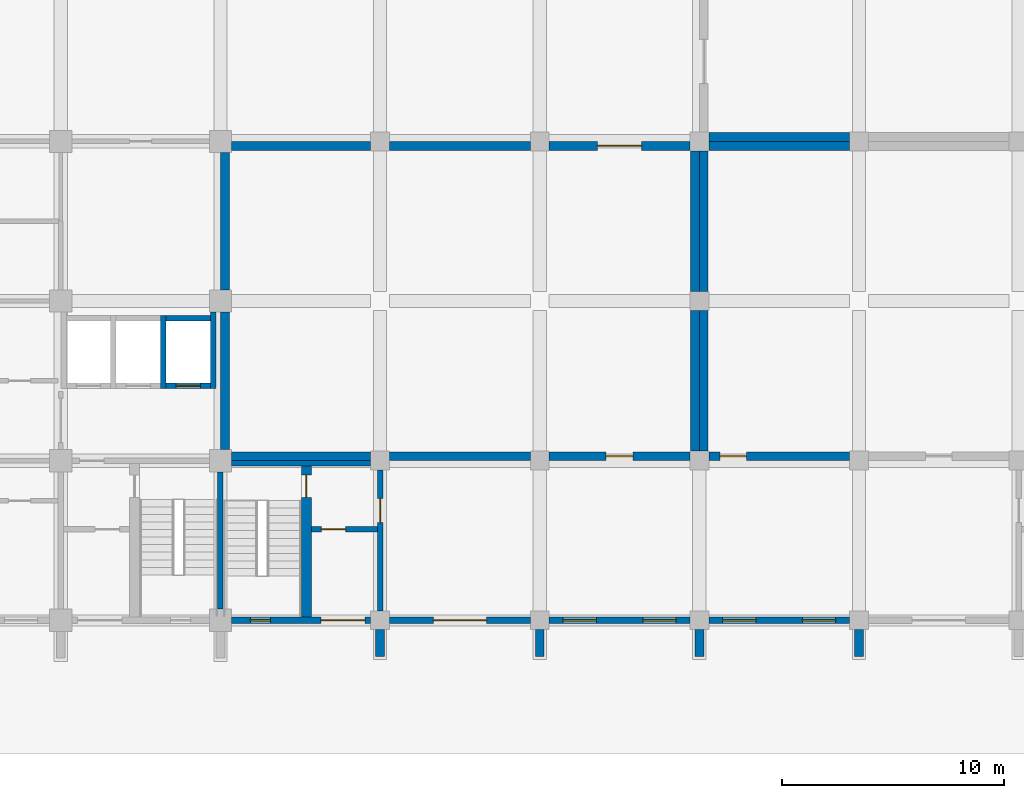
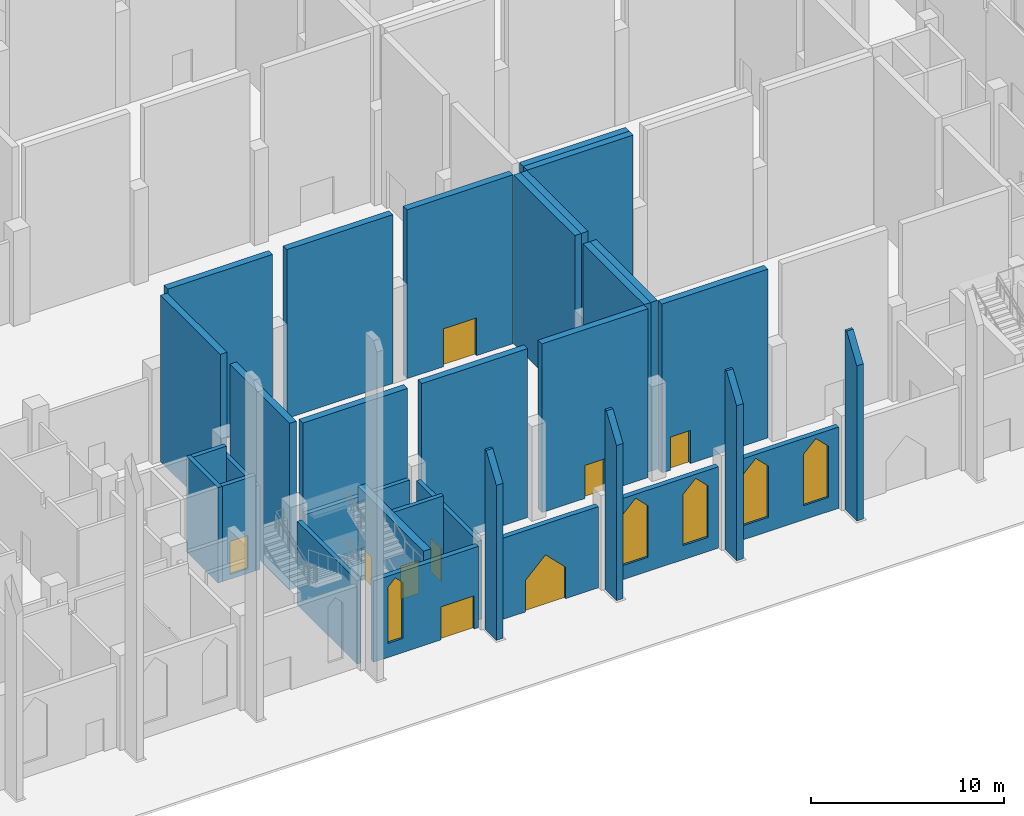
# One storey, part 31 of 50: 32 walls, 9 doors, 5 windows, 14 openings.
"""IFC4 building model written with IfcOpenShell, lengths in metres."""

from ifc_helpers import new_model, si_unit, direction, frame, frame_2d, origin, place, context, subcontext, project, spatial, polyline, rectangle, outline, extrude, material, layer, layer_set, type_object, element, fill, save


model = new_model("IFC4")

# Units and contexts
model_context = context("Model", 3, precision=1e-05, world=origin(), true_north=direction((0.0, 1.0)))
body_context = subcontext(model_context, "Body", "Model", "MODEL_VIEW")
ifc_project = project(units=[si_unit("LENGTHUNIT", "METRE"), si_unit("AREAUNIT", "SQUARE_METRE"), si_unit("VOLUMEUNIT", "CUBIC_METRE"), si_unit("PLANEANGLEUNIT", "RADIAN"), si_unit("MASSUNIT", "GRAM", prefix="KILO")], contexts=[model_context])

# Site, building, storey
site_placement = place(None, origin())
site = spatial("IfcSite", under=ifc_project, at=site_placement, CompositionType="ELEMENT")
building_placement = place(site_placement, origin())
building = spatial("IfcBuilding", under=site, at=building_placement, Name="Silangan Lancet Faculty of Sciences", CompositionType="ELEMENT")
storey_placement = place(building_placement, origin())
storey = spatial("IfcBuildingStorey", under=building, at=storey_placement, Name="L00", CompositionType="ELEMENT", Elevation=0.0)

# Wall, openings, window, door
ifc_material_1 = material(Name="Concrete C40/50 precast", Category="concrete")
ifc_layer_1 = layer(ifc_material_1, 0.300048828125)
ifc_layer_set_1 = layer_set([ifc_layer_1], Name="Concrete C40/50 precast")
wall_type_1 = type_object("IfcWallType", Name="EW2 Turret enclosure wall", PredefinedType="STANDARD", material=ifc_layer_set_1)
wall_1_placement = place(storey_placement, frame((29.300048828125, 0.0, 0.0), z_axis=(0.0, 0.0, 1.0), x_axis=(1.0, 0.0, 0.0)))
wall_1 = element("IfcWall", 1, at=wall_1_placement, inside=storey, type_object=wall_type_1, Name="EW-L00-S-SAB-00", PredefinedType="STANDARD", context=body_context, shape_type="SweptSolid", body=[
    extrude(rectangle(XDim=6.27490234375, YDim=0.300048828125, at=frame_2d((3.137451171875, 0.0))), origin(), (0.0, 0.0, 1.0), 5.14990234375),
])
opening_1_placement = place(wall_1_placement, frame((4.02490234375, 0.0, 0.0)))
opening_1 = element("IfcOpeningElement", 2, at=opening_1_placement, cuts=wall_1, Name="Opening L00-907", PredefinedType="OPENING", context=body_context, shape_type="SweptSolid", body=[
    extrude(rectangle(XDim=2.0, YDim=2.10009765625, at=frame_2d((1.0, 1.050048828125))), frame((0.0, 0.159912109375, 0.0), z_axis=(0.0, -1.0, 0.0), x_axis=(1.0, 0.0, 0.0)), (0.0, 0.0, 1.0), 0.320068359375),
])
opening_2_placement = place(wall_1_placement, frame((0.85009765625, 0.0, 0.89990234375)))
opening_2 = element("IfcOpeningElement", 3, at=opening_2_placement, cuts=wall_1, Name="Opening W2", PredefinedType="OPENING", context=body_context, shape_type="SweptSolid", body=[
    extrude(outline(polyline([(0.0, 0.0), (0.89990234375, 0.0), (0.89990234375, 3.550048828125), (0.449951171875, 4.0), (0.0, 3.550048828125), (0.0, 0.0)])), frame((0.0, 0.159912109375, 0.0), z_axis=(0.0, -1.0, 0.0), x_axis=(1.0, 0.0, 0.0)), (0.0, 0.0, 1.0), 0.320068359375),
])
ifc_material_2 = material(Name="Aluminium frame, laminated double glazing", Category="aluminium")
window_type_1 = type_object("IfcWindowType", Name="W2 Lancet window 900 x 4000", PartitioningType="SINGLE_PANEL", PredefinedType="WINDOW", material=ifc_material_2)
window_1_placement = place(opening_2_placement, origin())
window_1 = element("IfcWindow", 4, at=window_1_placement, inside=storey, type_object=window_type_1, Name="WIN-L00-S-SAB-00a", OverallHeight=4.0, OverallWidth=0.89990234375, PartitioningType="SINGLE_PANEL", PredefinedType="WINDOW", context=body_context, shape_type="SweptSolid", body=[
    extrude(outline(polyline([(0.0, 0.0), (0.89990234375, 0.0), (0.89990234375, 3.550048828125), (0.449951171875, 4.0), (0.0, 3.550048828125), (0.0, 0.0)])), frame((0.0, 0.030029296875, 0.0), z_axis=(0.0, -1.0, 0.0), x_axis=(1.0, 0.0, 0.0)), (0.0, 0.0, 1.0), 0.06005859375),
])
fill(opening_2, window_1)
ifc_material_3 = material(Name="Steel hollow-metal, fire rated", Category="steel")
door_type_1 = type_object("IfcDoorType", Name="XD2 Exit passage door pair 2000 x 2100", OperationType="DOUBLE_DOOR_SINGLE_SWING", PredefinedType="DOOR", material=ifc_material_3)
door_1_placement = place(opening_1_placement, frame((2.0, 0.0, 0.0), z_axis=(0.0, 0.0, 1.0), x_axis=(-1.0, 0.0, 0.0)))
door_1 = element("IfcDoor", 5, at=door_1_placement, inside=storey, type_object=door_type_1, Name="DOOR-L00-907", OperationType="DOUBLE_DOOR_SINGLE_SWING", OverallHeight=2.10009765625, OverallWidth=2.0, PredefinedType="DOOR", context=body_context, shape_type="SweptSolid", body=[
    extrude(rectangle(XDim=2.0, YDim=2.10009765625, at=frame_2d((1.0, 1.050048828125))), frame((0.0, 0.025146484375, 0.0), z_axis=(0.0, -1.0, 0.0), x_axis=(1.0, 0.0, 0.0)), (0.0, 0.0, 1.0), 0.050048828125),
])
fill(opening_1, door_1)

# Wall, opening, door
ifc_material_4 = material(Name="Concrete C40/50", Category="concrete")
ifc_layer_2 = layer(ifc_material_4, 0.300048828125)
ifc_layer_set_2 = layer_set([ifc_layer_2], Name="Concrete C40/50")
wall_type_2 = type_object("IfcWallType", Name="EW6 Stone-faced base wall", PredefinedType="STANDARD", material=ifc_layer_set_2)
wall_2_placement = place(storey_placement, frame((36.425048828125, 0.0, 0.0), z_axis=(0.0, 0.0, 1.0), x_axis=(1.0, 0.0, 0.0)))
wall_2 = element("IfcWall", 6, at=wall_2_placement, inside=storey, type_object=wall_type_2, Name="EW-L00-S-SAB-01", PredefinedType="STANDARD", context=body_context, shape_type="SweptSolid", body=[
    extrude(rectangle(XDim=6.349853515625, YDim=0.300048828125, at=frame_2d((3.1748046875, 0.0))), origin(), (0.0, 0.0, 1.0), 5.14990234375),
])
opening_3_placement = place(wall_2_placement, frame((1.97509765625, 0.0, 0.0)))
opening_3 = element("IfcOpeningElement", 7, at=opening_3_placement, cuts=wall_2, Name="Opening L00-912", PredefinedType="OPENING", context=body_context, shape_type="SweptSolid", body=[
    extrude(outline(polyline([(0.0, 0.0), (2.39990234375, 0.0), (2.39990234375, 2.0), (1.199951171875, 3.199951171875), (0.0, 2.0), (0.0, 0.0)])), frame((0.0, 0.159912109375, 0.0), z_axis=(0.0, -1.0, 0.0), x_axis=(1.0, 0.0, 0.0)), (0.0, 0.0, 1.0), 0.320068359375),
])
ifc_material_5 = material(Name="Aluminium frame, laminated glazing", Category="aluminium")
door_type_2 = type_object("IfcDoorType", Name="XD5 Entrance door pair 2400 x 3200", OperationType="DOUBLE_DOOR_SINGLE_SWING", PredefinedType="DOOR", material=ifc_material_5)
door_2_placement = place(opening_3_placement, frame((2.39990234375, 0.0, 0.0), z_axis=(0.0, 0.0, 1.0), x_axis=(-1.0, 0.0, 0.0)))
door_2 = element("IfcDoor", 8, at=door_2_placement, inside=storey, type_object=door_type_2, Name="DOOR-L00-912", OperationType="DOUBLE_DOOR_SINGLE_SWING", OverallHeight=3.199951171875, OverallWidth=2.39990234375, PredefinedType="DOOR", context=body_context, shape_type="SweptSolid", body=[
    extrude(outline(polyline([(2.39990234375, 2.0), (1.199951171875, 3.199951171875), (0.0, 2.0), (0.0, 0.0), (2.39990234375, 0.0), (2.39990234375, 2.0)])), frame((0.0, 0.025146484375, 0.0), z_axis=(0.0, -1.0, 0.0), x_axis=(1.0, 0.0, 0.0)), (0.0, 0.0, 1.0), 0.050048828125),
])
fill(opening_3, door_2)

# Wall, openings, windows
wall_3_placement = place(storey_placement, frame((43.625, 0.0, 0.0), z_axis=(0.0, 0.0, 1.0), x_axis=(1.0, 0.0, 0.0)))
wall_3 = element("IfcWall", 9, at=wall_3_placement, inside=storey, type_object=wall_type_2, Name="EW-L00-S-SAB-02", PredefinedType="STANDARD", context=body_context, shape_type="SweptSolid", body=[
    extrude(rectangle(XDim=6.35009765625, YDim=0.300048828125, at=frame_2d((3.175048828125, 0.0))), origin(), (0.0, 0.0, 1.0), 5.14990234375),
])
opening_4_placement = place(wall_3_placement, frame((0.625, 0.0, 0.89990234375)))
opening_4 = element("IfcOpeningElement", 10, at=opening_4_placement, cuts=wall_3, Name="Opening W3", PredefinedType="OPENING", context=body_context, shape_type="SweptSolid", body=[
    extrude(outline(polyline([(0.0, 0.0), (1.5, 0.0), (1.5, 3.25), (0.75, 4.0), (0.0, 3.25), (0.0, 0.0)])), frame((0.0, 0.159912109375, 0.0), z_axis=(0.0, -1.0, 0.0), x_axis=(1.0, 0.0, 0.0)), (0.0, 0.0, 1.0), 0.320068359375),
])
opening_5_placement = place(wall_3_placement, frame((4.22509765625, 0.0, 0.89990234375)))
opening_5 = element("IfcOpeningElement", 11, at=opening_5_placement, cuts=wall_3, Name="Opening W3", PredefinedType="OPENING", context=body_context, shape_type="SweptSolid", body=[
    extrude(outline(polyline([(0.0, 0.0), (1.5, 0.0), (1.5, 3.25), (0.75, 4.0), (0.0, 3.25), (0.0, 0.0)])), frame((0.0, 0.159912109375, 0.0), z_axis=(0.0, -1.0, 0.0), x_axis=(1.0, 0.0, 0.0)), (0.0, 0.0, 1.0), 0.320068359375),
])
ifc_material_6 = material(Name="Aluminium frame, laminated double glazing", Category="aluminium")
window_type_2 = type_object("IfcWindowType", Name="W3 Lancet window 1500 x 4000", PartitioningType="SINGLE_PANEL", PredefinedType="WINDOW", material=ifc_material_6)
window_2_placement = place(opening_4_placement, origin())
window_2 = element("IfcWindow", 12, at=window_2_placement, inside=storey, type_object=window_type_2, Name="WIN-L00-S-SAB-02a", OverallHeight=4.0, OverallWidth=1.5, PartitioningType="SINGLE_PANEL", PredefinedType="WINDOW", context=body_context, shape_type="SweptSolid", body=[
    extrude(outline(polyline([(0.0, 0.0), (1.5, 0.0), (1.5, 3.25), (0.75, 4.0), (0.0, 3.25), (0.0, 0.0)])), frame((0.0, 0.030029296875, 0.0), z_axis=(0.0, -1.0, 0.0), x_axis=(1.0, 0.0, 0.0)), (0.0, 0.0, 1.0), 0.06005859375),
])
fill(opening_4, window_2)
window_3_placement = place(opening_5_placement, origin())
window_3 = element("IfcWindow", 13, at=window_3_placement, inside=storey, type_object=window_type_2, Name="WIN-L00-S-SAB-02b", OverallHeight=4.0, OverallWidth=1.5, PartitioningType="SINGLE_PANEL", PredefinedType="WINDOW", context=body_context, shape_type="SweptSolid", body=[
    extrude(outline(polyline([(0.0, 0.0), (1.5, 0.0), (1.5, 3.25), (0.75, 4.0), (0.0, 3.25), (0.0, 0.0)])), frame((0.0, 0.030029296875, 0.0), z_axis=(0.0, -1.0, 0.0), x_axis=(1.0, 0.0, 0.0)), (0.0, 0.0, 1.0), 0.06005859375),
])
fill(opening_5, window_3)

wall_4_placement = place(storey_placement, frame((50.824951171875, 0.0, 0.0), z_axis=(0.0, 0.0, 1.0), x_axis=(1.0, 0.0, 0.0)))
wall_4 = element("IfcWall", 14, at=wall_4_placement, inside=storey, type_object=wall_type_2, Name="EW-L00-S-SAB-03", PredefinedType="STANDARD", context=body_context, shape_type="SweptSolid", body=[
    extrude(rectangle(XDim=6.35009765625, YDim=0.300048828125, at=frame_2d((3.175048828125, 0.0))), origin(), (0.0, 0.0, 1.0), 5.14990234375),
])
opening_6_placement = place(wall_4_placement, frame((0.625, 0.0, 0.89990234375)))
opening_6 = element("IfcOpeningElement", 15, at=opening_6_placement, cuts=wall_4, Name="Opening W3", PredefinedType="OPENING", context=body_context, shape_type="SweptSolid", body=[
    extrude(outline(polyline([(0.0, 0.0), (1.5, 0.0), (1.5, 3.25), (0.75, 4.0), (0.0, 3.25), (0.0, 0.0)])), frame((0.0, 0.159912109375, 0.0), z_axis=(0.0, -1.0, 0.0), x_axis=(1.0, 0.0, 0.0)), (0.0, 0.0, 1.0), 0.320068359375),
])
opening_7_placement = place(wall_4_placement, frame((4.22509765625, 0.0, 0.89990234375)))
opening_7 = element("IfcOpeningElement", 16, at=opening_7_placement, cuts=wall_4, Name="Opening W3", PredefinedType="OPENING", context=body_context, shape_type="SweptSolid", body=[
    extrude(outline(polyline([(0.0, 0.0), (1.5, 0.0), (1.5, 3.25), (0.75, 4.0), (0.0, 3.25), (0.0, 0.0)])), frame((0.0, 0.159912109375, 0.0), z_axis=(0.0, -1.0, 0.0), x_axis=(1.0, 0.0, 0.0)), (0.0, 0.0, 1.0), 0.320068359375),
])
window_4_placement = place(opening_6_placement, origin())
window_4 = element("IfcWindow", 17, at=window_4_placement, inside=storey, type_object=window_type_2, Name="WIN-L00-S-SAB-03a", OverallHeight=4.0, OverallWidth=1.5, PartitioningType="SINGLE_PANEL", PredefinedType="WINDOW", context=body_context, shape_type="SweptSolid", body=[
    extrude(outline(polyline([(0.0, 0.0), (1.5, 0.0), (1.5, 3.25), (0.75, 4.0), (0.0, 3.25), (0.0, 0.0)])), frame((0.0, 0.030029296875, 0.0), z_axis=(0.0, -1.0, 0.0), x_axis=(1.0, 0.0, 0.0)), (0.0, 0.0, 1.0), 0.06005859375),
])
fill(opening_6, window_4)
window_5_placement = place(opening_7_placement, origin())
window_5 = element("IfcWindow", 18, at=window_5_placement, inside=storey, type_object=window_type_2, Name="WIN-L00-S-SAB-03b", OverallHeight=4.0, OverallWidth=1.5, PartitioningType="SINGLE_PANEL", PredefinedType="WINDOW", context=body_context, shape_type="SweptSolid", body=[
    extrude(outline(polyline([(0.0, 0.0), (1.5, 0.0), (1.5, 3.25), (0.75, 4.0), (0.0, 3.25), (0.0, 0.0)])), frame((0.0, 0.030029296875, 0.0), z_axis=(0.0, -1.0, 0.0), x_axis=(1.0, 0.0, 0.0)), (0.0, 0.0, 1.0), 0.06005859375),
])
fill(opening_7, window_5)

# Walls
ifc_material_7 = material(Name="Concrete C40/50 precast", Category="concrete")
ifc_layer_3 = layer(ifc_material_7, 0.39990234375)
ifc_layer_set_3 = layer_set([ifc_layer_3], Name="Concrete C40/50 precast")
wall_type_3 = type_object("IfcWallType", Name="FN52 Buttress Fin column line stage 1 11400", PredefinedType="POLYGONAL", material=ifc_layer_set_3)
for number, where, z_axis, x_axis, name in (
    (19, (36.0, -0.425048828125, 0.0), (0.0, 0.0, 1.0), (0.0, -1.0, 0.0), "FINC-S-SAB-02"),
    (20, (43.199951171875, -0.425048828125, 0.0), (0.0, 0.0, 1.0), (0.0, -1.0, 0.0), "FINC-S-SAB-03"),
    (21, (50.39990234375, -0.425048828125, 0.0), (0.0, 0.0, 1.0), (0.0, -1.0, 0.0), "FINC-S-SAB-04"),
    (22, (57.60009765625, -0.425048828125, 0.0), (0.0, 0.0, 1.0), (0.0, -1.0, 0.0), "FINC-S-SAB-05"),
):
    element("IfcWall", number, at=place(storey_placement, frame(where, z_axis=z_axis, x_axis=x_axis)), inside=storey, type_object=wall_type_3, Name=name, PredefinedType="POLYGONAL", context=body_context, shape_type="SweptSolid", body=[
        extrude(outline(polyline([(1.199951171875, 0.0), (1.199951171875, 9.824951171875), (0.14990234375, 11.39990234375), (0.0, 11.39990234375), (0.0, 0.0), (1.199951171875, 0.0)])), frame((0.0, 0.199951171875, 0.0), z_axis=(0.0, -1.0, 0.0), x_axis=(1.0, 0.0, 0.0)), (0.0, 0.0, 1.0), 0.39990234375),
    ])
ifc_material_8 = material(Name="Concrete C35/45", Category="concrete")
ifc_layer_4 = layer(ifc_material_8, 0.39990234375)
ifc_layer_set_4 = layer_set([ifc_layer_4], Name="Concrete C35/45")
wall_type_4 = type_object("IfcWallType", Name="Interior wall PW10 Theatre box wall RC 400", PredefinedType="SOLIDWALL", material=ifc_layer_set_4)
wall_5_placement = place(storey_placement, frame((29.300048828125, 7.39990234375, 0.0), z_axis=(0.0, 0.0, 1.0), x_axis=(1.0, 0.0, 0.0)))
element("IfcWall", 23, at=wall_5_placement, inside=storey, type_object=wall_type_4, Name="Theatre box wall RC 400", PredefinedType="SOLIDWALL", context=body_context, shape_type="SweptSolid", body=[
    extrude(rectangle(XDim=6.27490234375, YDim=0.39990234375, at=frame_2d((3.137451171875, 0.0))), origin(), (0.0, 0.0, 1.0), 10.699951171875),
])
wall_6_placement = place(storey_placement, frame((36.425048828125, 7.39990234375, 0.0), z_axis=(0.0, 0.0, 1.0), x_axis=(1.0, 0.0, 0.0)))
element("IfcWall", 24, at=wall_6_placement, inside=storey, type_object=wall_type_4, Name="Theatre box wall RC 400", PredefinedType="SOLIDWALL", context=body_context, shape_type="SweptSolid", body=[
    extrude(rectangle(XDim=6.349853515625, YDim=0.39990234375, at=frame_2d((3.1748046875, 0.0))), origin(), (0.0, 0.0, 1.0), 10.699951171875),
])

# Wall, opening, door
wall_7_placement = place(storey_placement, frame((43.625, 7.39990234375, 0.0), z_axis=(0.0, 0.0, 1.0), x_axis=(1.0, 0.0, 0.0)))
wall_7 = element("IfcWall", 25, at=wall_7_placement, inside=storey, type_object=wall_type_4, Name="Theatre box wall RC 400", PredefinedType="SOLIDWALL", context=body_context, shape_type="SweptSolid", body=[
    extrude(rectangle(XDim=6.35009765625, YDim=0.39990234375, at=frame_2d((3.175048828125, 0.0))), origin(), (0.0, 0.0, 1.0), 10.699951171875),
])
opening_8_placement = place(wall_7_placement, frame((2.574951171875, 0.0, 0.0)))
opening_8 = element("IfcOpeningElement", 26, at=opening_8_placement, cuts=wall_7, Name="Opening L00-009", PredefinedType="OPENING", context=body_context, shape_type="SweptSolid", body=[
    extrude(rectangle(XDim=1.199951171875, YDim=2.10009765625, at=frame_2d((0.60009765625, 1.050048828125))), frame((0.0, 0.2099609375, 0.0), z_axis=(0.0, -1.0, 0.0), x_axis=(1.0, 0.0, 0.0)), (0.0, 0.0, 1.0), 0.419921875),
])
ifc_material_9 = material(Name="Steel fire door set", Category="steel")
door_type_3 = type_object("IfcDoorType", Name="Door D3 Theatre exit door 1200 x 2100", OperationType="SINGLE_SWING_RIGHT", PredefinedType="DOOR", material=ifc_material_9)
door_3_placement = place(opening_8_placement, frame((1.199951171875, 0.0, 0.0), z_axis=(0.0, 0.0, 1.0), x_axis=(-1.0, 0.0, 0.0)))
door_3 = element("IfcDoor", 27, at=door_3_placement, inside=storey, type_object=door_type_3, Name="Theatre exit door 1200 x 2100", OperationType="SINGLE_SWING_RIGHT", OverallHeight=2.10009765625, OverallWidth=1.199951171875, PredefinedType="DOOR", context=body_context, shape_type="SweptSolid", body=[
    extrude(rectangle(XDim=1.199951171875, YDim=2.10009765625, at=frame_2d((0.60009765625, 1.050048828125))), frame((0.0, 0.025146484375, 0.0), z_axis=(0.0, -1.0, 0.0), x_axis=(1.0, 0.0, 0.0)), (0.0, 0.0, 1.0), 0.050048828125),
])
fill(opening_8, door_3)

wall_8_placement = place(storey_placement, frame((50.824951171875, 7.39990234375, 0.0), z_axis=(0.0, 0.0, 1.0), x_axis=(1.0, 0.0, 0.0)))
wall_8 = element("IfcWall", 28, at=wall_8_placement, inside=storey, type_object=wall_type_4, Name="Theatre box wall RC 400", PredefinedType="SOLIDWALL", context=body_context, shape_type="SweptSolid", body=[
    extrude(rectangle(XDim=6.35009765625, YDim=0.39990234375, at=frame_2d((3.175048828125, 0.0))), origin(), (0.0, 0.0, 1.0), 10.699951171875),
])
opening_9_placement = place(wall_8_placement, frame((0.5, 0.0, 0.0)))
opening_9 = element("IfcOpeningElement", 29, at=opening_9_placement, cuts=wall_8, Name="Opening L00-012", PredefinedType="OPENING", context=body_context, shape_type="SweptSolid", body=[
    extrude(rectangle(XDim=1.199951171875, YDim=2.10009765625, at=frame_2d((0.60009765625, 1.050048828125))), frame((0.0, 0.2099609375, 0.0), z_axis=(0.0, -1.0, 0.0), x_axis=(1.0, 0.0, 0.0)), (0.0, 0.0, 1.0), 0.419921875),
])
door_4_placement = place(opening_9_placement, frame((1.199951171875, 0.0, 0.0), z_axis=(0.0, 0.0, 1.0), x_axis=(-1.0, 0.0, 0.0)))
door_4 = element("IfcDoor", 30, at=door_4_placement, inside=storey, type_object=door_type_3, Name="Theatre exit door 1200 x 2100", OperationType="SINGLE_SWING_RIGHT", OverallHeight=2.10009765625, OverallWidth=1.199951171875, PredefinedType="DOOR", context=body_context, shape_type="SweptSolid", body=[
    extrude(rectangle(XDim=1.199951171875, YDim=2.10009765625, at=frame_2d((0.60009765625, 1.050048828125))), frame((0.0, 0.025146484375, 0.0), z_axis=(0.0, -1.0, 0.0), x_axis=(1.0, 0.0, 0.0)), (0.0, 0.0, 1.0), 0.050048828125),
])
fill(opening_9, door_4)

# Walls
wall_9_placement = place(storey_placement, frame((29.300048828125, 21.39990234375, 0.0), z_axis=(0.0, 0.0, 1.0), x_axis=(1.0, 0.0, 0.0)))
element("IfcWall", 31, at=wall_9_placement, inside=storey, type_object=wall_type_4, Name="Theatre box wall RC 400", PredefinedType="SOLIDWALL", context=body_context, shape_type="SweptSolid", body=[
    extrude(rectangle(XDim=6.27490234375, YDim=0.39990234375, at=frame_2d((3.137451171875, 0.0))), origin(), (0.0, 0.0, 1.0), 10.699951171875),
])
wall_10_placement = place(storey_placement, frame((36.425048828125, 21.39990234375, 0.0), z_axis=(0.0, 0.0, 1.0), x_axis=(1.0, 0.0, 0.0)))
element("IfcWall", 32, at=wall_10_placement, inside=storey, type_object=wall_type_4, Name="Theatre box wall RC 400", PredefinedType="SOLIDWALL", context=body_context, shape_type="SweptSolid", body=[
    extrude(rectangle(XDim=6.349853515625, YDim=0.39990234375, at=frame_2d((3.1748046875, 0.0))), origin(), (0.0, 0.0, 1.0), 10.699951171875),
])

# Wall, opening, door
wall_11_placement = place(storey_placement, frame((43.625, 21.39990234375, 0.0), z_axis=(0.0, 0.0, 1.0), x_axis=(1.0, 0.0, 0.0)))
wall_11 = element("IfcWall", 33, at=wall_11_placement, inside=storey, type_object=wall_type_4, Name="Theatre box wall RC 400", PredefinedType="SOLIDWALL", context=body_context, shape_type="SweptSolid", body=[
    extrude(rectangle(XDim=6.35009765625, YDim=0.39990234375, at=frame_2d((3.175048828125, 0.0))), origin(), (0.0, 0.0, 1.0), 10.699951171875),
])
opening_10_placement = place(wall_11_placement, frame((2.175048828125, 0.0, 0.0)))
opening_10 = element("IfcOpeningElement", 34, at=opening_10_placement, cuts=wall_11, Name="Opening L00-010", PredefinedType="OPENING", context=body_context, shape_type="SweptSolid", body=[
    extrude(rectangle(XDim=2.0, YDim=2.39990234375, at=frame_2d((1.0, 1.199951171875))), frame((0.0, 0.2099609375, 0.0), z_axis=(0.0, -1.0, 0.0), x_axis=(1.0, 0.0, 0.0)), (0.0, 0.0, 1.0), 0.419921875),
])
ifc_material_10 = material(Name="Steel fire door set", Category="steel")
door_type_4 = type_object("IfcDoorType", Name="Door D6 Hall double door 2000 x 2400", OperationType="DOUBLE_DOOR_SINGLE_SWING", PredefinedType="DOOR", material=ifc_material_10)
door_5_placement = place(opening_10_placement, origin())
door_5 = element("IfcDoor", 35, at=door_5_placement, inside=storey, type_object=door_type_4, Name="Hall double door 2000 x 2400", OperationType="DOUBLE_DOOR_SINGLE_SWING", OverallHeight=2.39990234375, OverallWidth=2.0, PredefinedType="DOOR", context=body_context, shape_type="SweptSolid", body=[
    extrude(rectangle(XDim=2.0, YDim=2.39990234375, at=frame_2d((1.0, 1.199951171875))), frame((0.0, 0.02490234375, 0.0), z_axis=(0.0, -1.0, 0.0), x_axis=(1.0, 0.0, 0.0)), (0.0, 0.0, 1.0), 0.050048828125),
])
fill(opening_10, door_5)

# Walls
for number, where, z_axis, x_axis, name in (
    (36, (50.824951171875, 21.39990234375, 0.0), (0.0, 0.0, 1.0), (1.0, 0.0, 0.0), "Theatre box wall RC 400"),
    (37, (50.824951171875, 21.800048828125, 0.0), (0.0, 0.0, 1.0), (1.0, 0.0, 0.0), "Theatre box wall RC 400"),
):
    element("IfcWall", number, at=place(storey_placement, frame(where, z_axis=z_axis, x_axis=x_axis)), inside=storey, type_object=wall_type_4, Name=name, PredefinedType="SOLIDWALL", context=body_context, shape_type="SweptSolid", body=[
        extrude(rectangle(XDim=6.35009765625, YDim=0.39990234375, at=frame_2d((3.175048828125, 0.0))), origin(), (0.0, 0.0, 1.0), 10.699951171875),
    ])
wall_12_placement = place(storey_placement, frame((29.0, 7.699951171875, 0.0), z_axis=(0.0, 0.0, 1.0), x_axis=(0.0, 1.0, 0.0)))
element("IfcWall", 38, at=wall_12_placement, inside=storey, type_object=wall_type_4, Name="Theatre box wall RC 400", PredefinedType="SOLIDWALL", context=body_context, shape_type="SweptSolid", body=[
    extrude(rectangle(XDim=6.199951171875, YDim=0.39990234375, at=frame_2d((3.10009765625, 0.0))), origin(), (0.0, 0.0, 1.0), 10.550048828125),
])
wall_13_placement = place(storey_placement, frame((29.0, 14.89990234375, 0.0), z_axis=(0.0, 0.0, 1.0), x_axis=(0.0, 1.0, 0.0)))
element("IfcWall", 39, at=wall_13_placement, inside=storey, type_object=wall_type_4, Name="Theatre box wall RC 400", PredefinedType="SOLIDWALL", context=body_context, shape_type="SweptSolid", body=[
    extrude(rectangle(XDim=6.2001953125, YDim=0.39990234375, at=frame_2d((3.10009765625, 0.0))), origin(), (0.0, 0.0, 1.0), 10.550048828125),
])
for number, where, z_axis, x_axis, name in (
    (40, (50.199951171875, 7.625, 0.0), (0.0, 0.0, 1.0), (0.0, 1.0, 0.0), "Theatre box wall RC 400"),
    (41, (50.199951171875, 14.824951171875, 0.0), (0.0, 0.0, 1.0), (0.0, 1.0, 0.0), "Theatre box wall RC 400"),
    (42, (50.60009765625, 7.625, 0.0), (0.0, 0.0, 1.0), (0.0, 1.0, 0.0), "Theatre box wall RC 400"),
    (43, (50.60009765625, 14.824951171875, 0.0), (0.0, 0.0, 1.0), (0.0, 1.0, 0.0), "Theatre box wall RC 400"),
):
    element("IfcWall", number, at=place(storey_placement, frame(where, z_axis=z_axis, x_axis=x_axis)), inside=storey, type_object=wall_type_4, Name=name, PredefinedType="SOLIDWALL", context=body_context, shape_type="SweptSolid", body=[
        extrude(rectangle(XDim=6.35009765625, YDim=0.39990234375, at=frame_2d((3.175048828125, 0.0))), origin(), (0.0, 0.0, 1.0), 10.699951171875),
    ])
ifc_material_11 = material(Name="Concrete C40/50", Category="concrete")
ifc_layer_5 = layer(ifc_material_11, 0.25)
ifc_layer_set_5 = layer_set([ifc_layer_5], Name="Concrete C40/50")
wall_type_5 = type_object("IfcWallType", Name="LIFT SHAFT WALL RC 250", PredefinedType="SHEAR", material=ifc_layer_set_5)
wall_14_placement = place(storey_placement, frame((26.22509765625, 10.449951171875, -0.300048828125), z_axis=(0.0, 0.0, 1.0), x_axis=(0.0, 1.0, 0.0)))
element("IfcWall", 44, at=wall_14_placement, inside=storey, type_object=wall_type_5, Name="WALL-L00-ST-SW3", PredefinedType="SHEAR", context=body_context, shape_type="SweptSolid", body=[
    extrude(rectangle(XDim=3.300048828125, YDim=0.25, at=frame_2d((1.64990234375, 0.0))), origin(), (0.0, 0.0, 1.0), 6.050048828125),
])
wall_15_placement = place(storey_placement, frame((28.47509765625, 10.449951171875, -0.300048828125), z_axis=(0.0, 0.0, 1.0), x_axis=(0.0, 1.0, 0.0)))
element("IfcWall", 45, at=wall_15_placement, inside=storey, type_object=wall_type_5, Name="WALL-L00-ST-SW4", PredefinedType="SHEAR", context=body_context, shape_type="SweptSolid", body=[
    extrude(rectangle(XDim=3.449951171875, YDim=0.25, at=frame_2d((1.72509765625, 0.0))), origin(), (0.0, 0.0, 1.0), 5.35009765625),
])

# Wall, opening, door
wall_16_placement = place(storey_placement, frame((26.35009765625, 10.574951171875, -0.300048828125), z_axis=(0.0, 0.0, 1.0), x_axis=(1.0, 0.0, 0.0)))
wall_16 = element("IfcWall", 46, at=wall_16_placement, inside=storey, type_object=wall_type_5, Name="WALL-L00-ST-L3-F", PredefinedType="SHEAR", context=body_context, shape_type="SweptSolid", body=[
    extrude(rectangle(XDim=2.0, YDim=0.25, at=frame_2d((1.0, 0.0))), origin(), (0.0, 0.0, 1.0), 6.050048828125),
])
opening_11_placement = place(wall_16_placement, frame((0.449951171875, 0.0, 0.300048828125)))
opening_11 = element("IfcOpeningElement", 47, at=opening_11_placement, cuts=wall_16, Name="Opening L00-809", PredefinedType="OPENING", context=body_context, shape_type="SweptSolid", body=[
    extrude(rectangle(XDim=1.10009765625, YDim=2.10009765625, at=frame_2d((0.550048828125, 1.050048828125))), frame((0.0, 0.135009765625, 0.0), z_axis=(0.0, -1.0, 0.0), x_axis=(1.0, 0.0, 0.0)), (0.0, 0.0, 1.0), 0.27001953125),
])
ifc_material_12 = material(Name="Stainless steel sliding door", Category="steel")
door_type_5 = type_object("IfcDoorType", Name="LD1 Lift landing door 1100x2100", OperationType="SLIDING_TO_LEFT", PredefinedType="DOOR", material=ifc_material_12)
door_6_placement = place(opening_11_placement, origin())
door_6 = element("IfcDoor", 48, at=door_6_placement, inside=storey, type_object=door_type_5, Name="Landing door ST-L3 L00", OperationType="SLIDING_TO_LEFT", OverallHeight=2.10009765625, OverallWidth=1.10009765625, PredefinedType="DOOR", context=body_context, shape_type="SweptSolid", body=[
    extrude(rectangle(XDim=1.10009765625, YDim=2.10009765625, at=frame_2d((0.550048828125, 1.050048828125))), frame((0.0, 0.02490234375, 0.0), z_axis=(0.0, -1.0, 0.0), x_axis=(1.0, 0.0, 0.0)), (0.0, 0.0, 1.0), 0.050048828125),
])
fill(opening_11, door_6)

# Wall
wall_17_placement = place(storey_placement, frame((26.35009765625, 13.625, -0.300048828125), z_axis=(0.0, 0.0, 1.0), x_axis=(1.0, 0.0, 0.0)))
element("IfcWall", 49, at=wall_17_placement, inside=storey, type_object=wall_type_5, Name="WALL-L00-ST-L3-B", PredefinedType="SHEAR", context=body_context, shape_type="SweptSolid", body=[
    extrude(rectangle(XDim=2.0, YDim=0.25, at=frame_2d((1.0, 0.0))), origin(), (0.0, 0.0, 1.0), 6.050048828125),
])

# Wall, opening, door
ifc_material_13 = material(Name="Concrete C40/50", Category="concrete")
ifc_layer_6 = layer(ifc_material_13, 0.449951171875)
ifc_layer_set_6 = layer_set([ifc_layer_6], Name="Concrete C40/50")
wall_type_6 = type_object("IfcWallType", Name="TURRET CORE WALL RC 450", PredefinedType="SHEAR", material=ifc_layer_set_6)
wall_18_placement = place(storey_placement, frame((32.675048828125, 0.14990234375, 0.0), z_axis=(0.0, 0.0, 1.0), x_axis=(0.0, 1.0, 0.0)))
wall_18 = element("IfcWall", 50, at=wall_18_placement, inside=storey, type_object=wall_type_6, Name="WALL-L00-SAB-A-WELL", PredefinedType="SHEAR", context=body_context, shape_type="SweptSolid", body=[
    extrude(rectangle(XDim=6.800048828125, YDim=0.449951171875, at=frame_2d((3.39990234375, 0.0))), origin(), (0.0, 0.0, 1.0), 5.75),
])
opening_12_placement = place(wall_18_placement, frame((5.39990234375, 0.0, 0.0)))
opening_12 = element("IfcOpeningElement", 51, at=opening_12_placement, cuts=wall_18, Name="Opening L00-719", PredefinedType="OPENING", context=body_context, shape_type="SweptSolid", body=[
    extrude(rectangle(XDim=1.0, YDim=2.10009765625, at=frame_2d((0.5, 1.050048828125))), frame((0.0, 0.23486328125, 0.0), z_axis=(0.0, -1.0, 0.0), x_axis=(1.0, 0.0, 0.0)), (0.0, 0.0, 1.0), 0.469970703125),
])
ifc_material_14 = material(Name="Steel fire door set", Category="steel")
door_type_6 = type_object("IfcDoorType", Name="D71 Stair enclosure door 1000x2100", OperationType="SINGLE_SWING_LEFT", PredefinedType="DOOR", material=ifc_material_14)
door_7_placement = place(opening_12_placement, origin())
door_7 = element("IfcDoor", 52, at=door_7_placement, inside=storey, type_object=door_type_6, Name="Stair enclosure door SAB-A L00", OperationType="SINGLE_SWING_RIGHT", OverallHeight=2.10009765625, OverallWidth=1.0, PredefinedType="DOOR", context=body_context, shape_type="SweptSolid", body=[
    extrude(rectangle(XDim=1.0, YDim=2.10009765625, at=frame_2d((0.5, 1.050048828125))), frame((0.0, 0.02490234375, 0.0), z_axis=(0.0, -1.0, 0.0), x_axis=(1.0, 0.0, 0.0)), (0.0, 0.0, 1.0), 0.050048828125),
])
fill(opening_12, door_7)

# Walls
ifc_material_15 = material(Name="Concrete C40/50", Category="concrete")
ifc_layer_7 = layer(ifc_material_15, 0.25)
ifc_layer_set_7 = layer_set([ifc_layer_7], Name="Concrete C40/50")
wall_type_7 = type_object("IfcWallType", Name="TURRET WALL RC 250", PredefinedType="SHEAR", material=ifc_layer_set_7)
wall_19_placement = place(storey_placement, frame((29.300048828125, 7.074951171875, 0.0), z_axis=(0.0, 0.0, 1.0), x_axis=(1.0, 0.0, 0.0)))
element("IfcWall", 53, at=wall_19_placement, inside=storey, type_object=wall_type_7, Name="WALL-L00-SAB-A-V", PredefinedType="SHEAR", context=body_context, shape_type="SweptSolid", body=[
    extrude(rectangle(XDim=6.27490234375, YDim=0.25, at=frame_2d((3.137451171875, 0.0))), origin(), (0.0, 0.0, 1.0), 5.050048828125),
])
wall_20_placement = place(storey_placement, frame((28.800048828125, 0.5, -0.300048828125), z_axis=(0.0, 0.0, 1.0), x_axis=(0.0, 1.0, 0.0)))
element("IfcWall", 54, at=wall_20_placement, inside=storey, type_object=wall_type_7, Name="WALL-L00-SAB-A-W", PredefinedType="SHEAR", context=body_context, shape_type="SweptSolid", body=[
    extrude(rectangle(XDim=6.199951171875, YDim=0.25, at=frame_2d((3.10009765625, 0.0))), origin(), (0.0, 0.0, 1.0), 5.300048828125),
])

# Wall, opening, door
wall_21_placement = place(storey_placement, frame((36.0, 0.425048828125, 0.0), z_axis=(0.0, 0.0, 1.0), x_axis=(0.0, 1.0, 0.0)))
wall_21 = element("IfcWall", 55, at=wall_21_placement, inside=storey, type_object=wall_type_7, Name="WALL-L00-SAB-A-O", PredefinedType="SHEAR", context=body_context, shape_type="SweptSolid", body=[
    extrude(rectangle(XDim=6.349853515625, YDim=0.25, at=frame_2d((3.1748046875, 0.0))), origin(), (0.0, 0.0, 1.0), 5.0),
])
opening_13_placement = place(wall_21_placement, frame((3.97509765625, 0.0, 0.0)))
opening_13 = element("IfcOpeningElement", 56, at=opening_13_placement, cuts=wall_21, Name="Opening L00-720", PredefinedType="OPENING", context=body_context, shape_type="SweptSolid", body=[
    extrude(rectangle(XDim=1.10009765625, YDim=2.10009765625, at=frame_2d((0.550048828125, 1.050048828125))), frame((0.0, 0.135009765625, 0.0), z_axis=(0.0, -1.0, 0.0), x_axis=(1.0, 0.0, 0.0)), (0.0, 0.0, 1.0), 0.27001953125),
])
ifc_material_16 = material(Name="Steel fire door set", Category="steel")
door_type_7 = type_object("IfcDoorType", Name="D70 Stair vestibule door 1100x2100", OperationType="SINGLE_SWING_LEFT", PredefinedType="DOOR", material=ifc_material_16)
door_8_placement = place(opening_13_placement, origin())
door_8 = element("IfcDoor", 57, at=door_8_placement, inside=storey, type_object=door_type_7, Name="Stair vestibule door SAB-A L00", OperationType="SINGLE_SWING_RIGHT", OverallHeight=2.10009765625, OverallWidth=1.10009765625, PredefinedType="DOOR", context=body_context, shape_type="SweptSolid", body=[
    extrude(rectangle(XDim=1.10009765625, YDim=2.10009765625, at=frame_2d((0.550048828125, 1.050048828125))), frame((0.0, 0.02490234375, 0.0), z_axis=(0.0, -1.0, 0.0), x_axis=(1.0, 0.0, 0.0)), (0.0, 0.0, 1.0), 0.050048828125),
])
fill(opening_13, door_8)

wall_22_placement = place(storey_placement, frame((32.89990234375, 4.10009765625, 0.0), z_axis=(0.0, 0.0, 1.0), x_axis=(1.0, 0.0, 0.0)))
wall_22 = element("IfcWall", 58, at=wall_22_placement, inside=storey, type_object=wall_type_7, Name="WALL-L00-SAB-A-RISER", PredefinedType="SHEAR", context=body_context, shape_type="SweptSolid", body=[
    extrude(rectangle(XDim=2.97509765625, YDim=0.25, at=frame_2d((1.487548828125, 0.0))), origin(), (0.0, 0.0, 1.0), 5.75),
])
opening_14_placement = place(wall_22_placement, frame((0.449951171875, 0.0, 0.0)))
opening_14 = element("IfcOpeningElement", 59, at=opening_14_placement, cuts=wall_22, Name="Opening L00-721", PredefinedType="OPENING", context=body_context, shape_type="SweptSolid", body=[
    extrude(rectangle(XDim=1.10009765625, YDim=2.10009765625, at=frame_2d((0.550048828125, 1.050048828125))), frame((0.0, 0.135009765625, 0.0), z_axis=(0.0, -1.0, 0.0), x_axis=(1.0, 0.0, 0.0)), (0.0, 0.0, 1.0), 0.27001953125),
])
door_9_placement = place(opening_14_placement, frame((1.10009765625, 0.0, 0.0), z_axis=(0.0, 0.0, 1.0), x_axis=(-1.0, 0.0, 0.0)))
door_9 = element("IfcDoor", 60, at=door_9_placement, inside=storey, type_object=door_type_7, Name="Exit passageway door SAB-A L00", OperationType="SINGLE_SWING_LEFT", OverallHeight=2.10009765625, OverallWidth=1.10009765625, PredefinedType="DOOR", context=body_context, shape_type="SweptSolid", body=[
    extrude(rectangle(XDim=1.10009765625, YDim=2.10009765625, at=frame_2d((0.550048828125, 1.050048828125))), frame((0.0, 0.025146484375, 0.0), z_axis=(0.0, -1.0, 0.0), x_axis=(1.0, 0.0, 0.0)), (0.0, 0.0, 1.0), 0.050048828125),
])
fill(opening_14, door_9)

save(model, "model.ifc")
